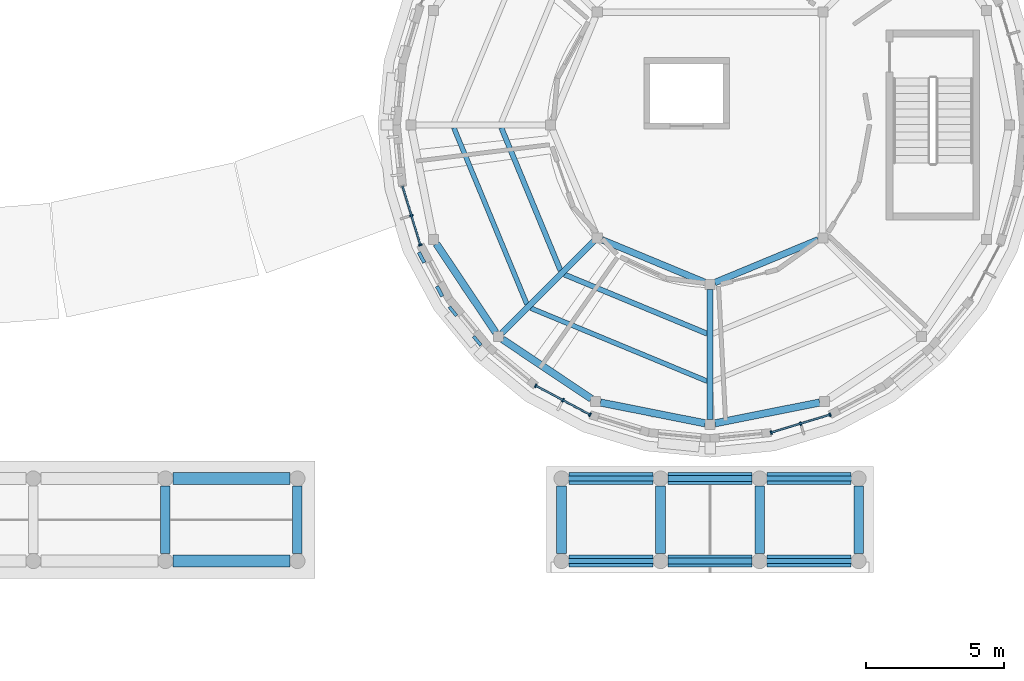
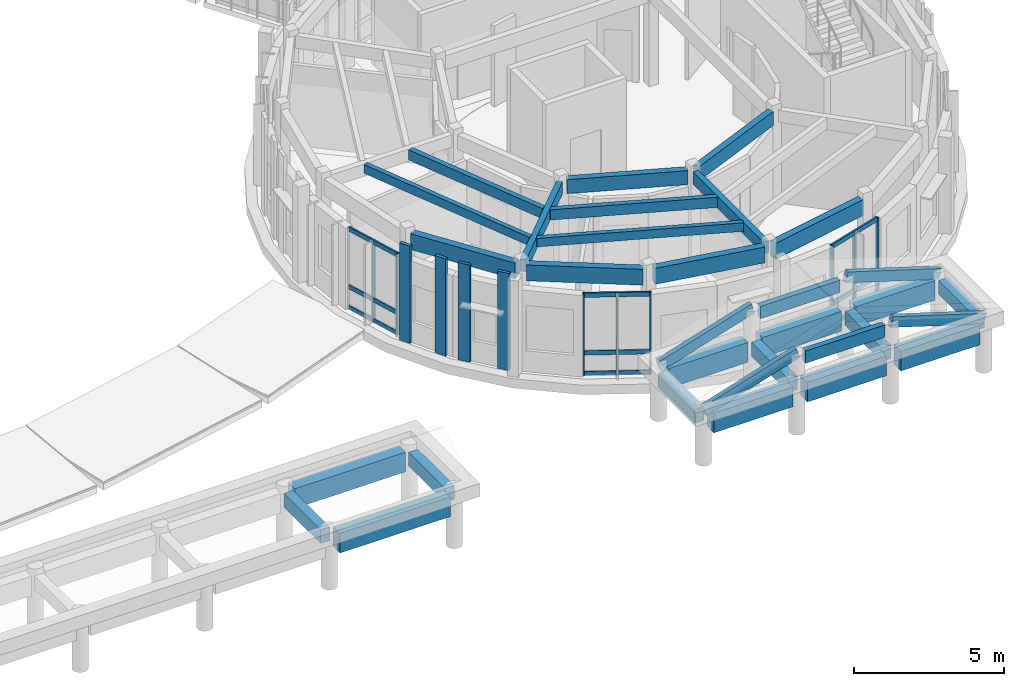
# One storey, part 22 of 80: 28 beams, 25 members, 3 elements without a shape of their own.
"""IFC4 building model written with IfcOpenShell, lengths in metres."""

from ifc_helpers import new_model, si_unit, direction, frame, origin, origin_2d, place, context, subcontext, project, spatial, rectangle, extrude, material, layer, layer_set, material_profile, profile_set, type_object, element, aggregate, save


model = new_model("IFC4")

# Units and contexts
model_context = context("Model", 3, precision=1e-05, world=origin(), true_north=direction((0.0, 1.0)))
body_context = subcontext(model_context, "Body", "Model", "MODEL_VIEW")
ifc_project = project(units=[si_unit("LENGTHUNIT", "METRE"), si_unit("AREAUNIT", "SQUARE_METRE"), si_unit("VOLUMEUNIT", "CUBIC_METRE"), si_unit("PLANEANGLEUNIT", "RADIAN"), si_unit("MASSUNIT", "GRAM", prefix="KILO")], contexts=[model_context])

# Site, building, storey
site_placement = place(None, origin())
site = spatial("IfcSite", under=ifc_project, at=site_placement, CompositionType="ELEMENT")
building_placement = place(site_placement, origin())
building = spatial("IfcBuilding", under=site, at=building_placement, Name="Aldenvaro Health Centre", CompositionType="ELEMENT")
storey_placement = place(building_placement, frame((0.0, 0.0, 4.550048828125)))
storey = spatial("IfcBuildingStorey", under=building, at=storey_placement, Name="L01", CompositionType="ELEMENT", Elevation=4.550048828125)

# Beams
ifc_material_1 = material(Name="Glulam GL28h", Category="wood")
ifc_material_profile_1 = material_profile(ifc_material_1, rectangle(XDim=0.175048828125, YDim=0.35009765625, at=origin_2d()), Name="GL 175x350", Category="wood")
ifc_profile_set_1 = profile_set([ifc_material_profile_1], Name="Glulam GL28h")
beam_type_1 = type_object("IfcBeamType", Name="BM-GL-350", PredefinedType="JOIST", material=ifc_profile_set_1)
for number, where, z_axis, x_axis, name in (
    (1, (145.18505859375, 18.40087890625, 3.780029296875), (0.382677753705, -0.923881884669, 0.0), (0.923881884669, 0.382677753705, 0.0), "D6 L01 secondary joist 03.2"),
    (2, (147.98388671875, 11.843017578125, 3.780029296875), (0.923881884669, -0.382677753705, 0.0), (0.382677753705, 0.923881884669, 0.0), "D6 L01 secondary joist 04.2"),
):
    element("IfcBeam", number, at=place(storey_placement, frame(where, z_axis=z_axis, x_axis=x_axis)), inside=storey, type_object=beam_type_1, Name=name, PredefinedType="JOIST", context=body_context, shape_type="SweptSolid", body=[
        extrude(rectangle(XDim=0.175048828125, YDim=0.35009765625, at=origin_2d()), origin(), (0.0, 0.0, 1.0), 6.94580078125),
    ])
ifc_material_profile_2 = material_profile(ifc_material_1, rectangle(XDim=0.18994140625, YDim=0.41796875, at=origin_2d()), Name="GL 190x418", Category="wood")
ifc_profile_set_2 = profile_set([ifc_material_profile_2], Name="Glulam GL28h")
beam_type_2 = type_object("IfcBeamType", Name="BM-GL-418", PredefinedType="JOIST", material=ifc_profile_set_2)
for number, where, z_axis, x_axis, name in (
    (3, (146.912109375, 18.40087890625, 3.745849609375), (0.382783729155, -0.923837981842, 0.0), (0.923837981842, 0.382783729155, 0.0), "D6 L01 secondary joist 03.1"),
    (4, (149.205078125, 13.06494140625, 3.745849609375), (0.923837981842, -0.382783729155, 0.0), (0.382783729155, 0.923837981842, 0.0), "D6 L01 secondary joist 04.1"),
):
    element("IfcBeam", number, at=place(storey_placement, frame(where, z_axis=z_axis, x_axis=x_axis)), inside=storey, type_object=beam_type_2, Name=name, PredefinedType="JOIST", context=body_context, shape_type="SweptSolid", body=[
        extrude(rectangle(XDim=0.18994140625, YDim=0.41796875, at=origin_2d()), origin(), (0.0, 0.0, 1.0), 5.624267578125),
    ])
ifc_material_profile_3 = material_profile(ifc_material_1, rectangle(XDim=0.215087890625, YDim=0.493896484375, at=origin_2d()), Name="GL 215x494", Category="wood")
ifc_profile_set_3 = profile_set([ifc_material_profile_3], Name="Glulam GL28h")
beam_type_3 = type_object("IfcBeamType", Name="BM-GL-494", PredefinedType="BEAM", material=ifc_profile_set_3)
for number, where, z_axis, x_axis, name in (
    (5, (150.27001953125, 14.27001953125, 3.7080078125), (-0.707106781187, -0.707106781187, 0.0), (0.707106781187, -0.707106781187, 0.0), "D6 L01 radial beam 04"),
    (6, (154.5, 12.51806640625, 3.7080078125), (0.0, -1.0, 0.0), (1.0, 0.0, 0.0), "D6 L01 radial beam 05"),
):
    element("IfcBeam", number, at=place(storey_placement, frame(where, z_axis=z_axis, x_axis=x_axis)), inside=storey, type_object=beam_type_3, Name=name, PredefinedType="BEAM", context=body_context, shape_type="SweptSolid", body=[
        extrude(rectangle(XDim=0.215087890625, YDim=0.493896484375, at=origin_2d()), origin(), (0.0, 0.0, 1.0), 4.715087890625),
    ])
for number, where, z_axis, x_axis, name in (
    (7, (152.97509765625, 2.64990234375, 2.949951171875), (1.0, 0.0, 0.0), (0.0, 1.0, 0.0), "Pavilion Portico E6 Pediment Collar 1"),
    (8, (152.97509765625, 5.64990234375, 2.949951171875), (1.0, 0.0, 0.0), (0.0, 1.0, 0.0), "Pavilion Portico E6 Pediment Collar 2"),
):
    element("IfcBeam", number, at=place(storey_placement, frame(where, z_axis=z_axis, x_axis=x_axis)), inside=storey, type_object=beam_type_3, Name=name, PredefinedType="BEAM", context=body_context, shape_type="SweptSolid", body=[
        extrude(rectangle(XDim=0.215087890625, YDim=0.493896484375, at=origin_2d()), origin(), (0.0, 0.0, 1.0), 3.0498046875),
    ])
ifc_material_profile_4 = material_profile(ifc_material_1, rectangle(XDim=0.239990234375, YDim=0.570068359375, at=origin_2d()), Name="GL 240x570", Category="wood")
ifc_profile_set_4 = profile_set([ifc_material_profile_4], Name="Glulam GL28h")
beam_type_4 = type_object("IfcBeamType", Name="BM-GL-570", PredefinedType="BEAM", material=ifc_profile_set_4)
for number, where, z_axis, x_axis, name in (
    (9, (150.568115234375, 14.3291015625, 3.669921875), (0.923842943705, -0.382771753617, 0.0), (0.382771753617, 0.923842943705, 0.0), "D6 L01 inner ring beam 04"),
    (10, (154.6689453125, 12.77001953125, 3.669921875), (0.923842943705, 0.382771753617, 0.0), (-0.382771753617, 0.923842943705, 0.0), "D6 L01 inner ring beam 05"),
):
    element("IfcBeam", number, at=place(storey_placement, frame(where, z_axis=z_axis, x_axis=x_axis)), inside=storey, type_object=beam_type_4, Name=name, PredefinedType="BEAM", context=body_context, shape_type="SweptSolid", body=[
        extrude(rectangle(XDim=0.239990234375, YDim=0.570068359375, at=origin_2d()), origin(), (0.0, 0.0, 1.0), 4.0732421875),
    ])
ifc_material_profile_5 = material_profile(ifc_material_1, rectangle(XDim=0.264892578125, YDim=0.64599609375, at=origin_2d()), Name="GL 265x646", Category="wood")
ifc_profile_set_5 = profile_set([ifc_material_profile_5], Name="Glulam GL28h")
beam_type_5 = type_object("IfcBeamType", Name="BM-GL-646", PredefinedType="SPANDREL", material=ifc_profile_set_5)
for number, where, z_axis, x_axis, name in (
    (11, (144.549072265625, 14.18408203125, 3.6318359375), (0.55593386509, -0.831226526072, 0.0), (0.831226526072, 0.55593386509, 0.0), "D6 L01 perimeter spandrel 10"),
    (12, (146.958984375, 10.7060546875, 3.6318359375), (0.831226526072, -0.55593386509, 0.0), (0.55593386509, 0.831226526072, 0.0), "D6 L01 perimeter spandrel 11"),
):
    element("IfcBeam", number, at=place(storey_placement, frame(where, z_axis=z_axis, x_axis=x_axis)), inside=storey, type_object=beam_type_5, Name=name, PredefinedType="SPANDREL", context=body_context, shape_type="SweptSolid", body=[
        extrude(rectangle(XDim=0.264892578125, YDim=0.64599609375, at=origin_2d()), origin(), (0.0, 0.0, 1.0), 3.8798828125),
    ])
for number, where, z_axis, x_axis, name in (
    (13, (150.514892578125, 8.412109375, 3.6318359375), (0.98083392975, -0.19484558566, 0.0), (0.19484558566, 0.98083392975, 0.0), "D6 L01 perimeter spandrel 12"),
    (14, (154.678955078125, 7.656005859375, 3.6318359375), (0.98083392975, 0.19484558566, 0.0), (-0.19484558566, 0.98083392975, 0.0), "D6 L01 perimeter spandrel 13"),
):
    element("IfcBeam", number, at=place(storey_placement, frame(where, z_axis=z_axis, x_axis=x_axis)), inside=storey, type_object=beam_type_5, Name=name, PredefinedType="SPANDREL", context=body_context, shape_type="SweptSolid", body=[
        extrude(rectangle(XDim=0.264892578125, YDim=0.64599609375, at=origin_2d()), origin(), (0.0, 0.0, 1.0), 3.880615234375),
    ])
ifc_material_2 = material(Name="Concrete f'c 40 MPa", Category="concrete")
ifc_material_profile_6 = material_profile(ifc_material_2, rectangle(XDim=0.35009765625, YDim=0.56005859375, at=origin_2d()), Name="RC 350x560", Category="concrete")
ifc_profile_set_6 = profile_set([ifc_material_profile_6], Name="Concrete f'c 40 MPa")
beam_type_6 = type_object("IfcBeamType", Name="BM-RC-560E", PredefinedType="JOIST", material=ifc_profile_set_6)
for number, where, z_axis, x_axis, name in (
    (15, (134.699951171875, 2.925048828125, 1.869873046875), (0.0, 1.0, 0.0), (-1.0, 0.0, 0.0), "South Stoa E Transverse Beam L01-8"),
    (16, (139.5, 2.925048828125, 1.869873046875), (0.0, 1.0, 0.0), (-1.0, 0.0, 0.0), "South Stoa E Transverse Beam L01-9"),
    (17, (149.10009765625, 2.925048828125, 1.719970703125), (0.0, 1.0, 0.0), (-1.0, 0.0, 0.0), "Pavilion Portico E6 Entablature Tie 1"),
    (18, (152.699951171875, 2.925048828125, 1.719970703125), (0.0, 1.0, 0.0), (-1.0, 0.0, 0.0), "Pavilion Portico E6 Entablature Tie 2"),
    (19, (156.300048828125, 2.925048828125, 1.719970703125), (0.0, 1.0, 0.0), (-1.0, 0.0, 0.0), "Pavilion Portico E6 Entablature Tie 3"),
    (20, (159.89990234375, 2.925048828125, 1.719970703125), (0.0, 1.0, 0.0), (-1.0, 0.0, 0.0), "Pavilion Portico E6 Entablature Tie 4"),
):
    element("IfcBeam", number, at=place(storey_placement, frame(where, z_axis=z_axis, x_axis=x_axis)), inside=storey, type_object=beam_type_6, Name=name, PredefinedType="JOIST", context=body_context, shape_type="SweptSolid", body=[
        extrude(rectangle(XDim=0.35009765625, YDim=0.56005859375, at=origin_2d()), origin(), (0.0, 0.0, 1.0), 2.449951171875),
    ])
ifc_material_profile_7 = material_profile(ifc_material_2, rectangle(XDim=0.449951171875, YDim=0.800048828125, at=origin_2d()), Name="RC 450x800", Category="concrete")
ifc_profile_set_7 = profile_set([ifc_material_profile_7], Name="Concrete f'c 40 MPa")
beam_type_7 = type_object("IfcBeamType", Name="BM-RC-800", PredefinedType="SPANDREL", material=ifc_profile_set_7)
for number, where, z_axis, x_axis, name in (
    (21, (134.97509765625, 2.64990234375, 1.75), (1.0, 0.0, 0.0), (0.0, 1.0, 0.0), "South Stoa E Classical Architrave L01-8.1"),
    (22, (134.97509765625, 5.64990234375, 1.75), (1.0, 0.0, 0.0), (0.0, 1.0, 0.0), "South Stoa E Classical Architrave L01-8.2"),
):
    element("IfcBeam", number, at=place(storey_placement, frame(where, z_axis=z_axis, x_axis=x_axis)), inside=storey, type_object=beam_type_7, Name=name, PredefinedType="SPANDREL", context=body_context, shape_type="SweptSolid", body=[
        extrude(rectangle(XDim=0.449951171875, YDim=0.800048828125, at=origin_2d()), origin(), (0.0, 0.0, 1.0), 4.25),
    ])
for number, where, z_axis, x_axis, name in (
    (23, (149.375, 2.64990234375, 1.599853515625), (1.0, 0.0, 0.0), (0.0, 1.0, 0.0), "Pavilion Portico E6 Classical Architrave 1.1"),
    (24, (149.375, 5.64990234375, 1.599853515625), (1.0, 0.0, 0.0), (0.0, 1.0, 0.0), "Pavilion Portico E6 Classical Architrave 1.2"),
):
    element("IfcBeam", number, at=place(storey_placement, frame(where, z_axis=z_axis, x_axis=x_axis)), inside=storey, type_object=beam_type_7, Name=name, PredefinedType="SPANDREL", context=body_context, shape_type="SweptSolid", body=[
        extrude(rectangle(XDim=0.449951171875, YDim=0.800048828125, at=origin_2d()), origin(), (0.0, 0.0, 1.0), 3.050048828125),
    ])
for number, where, z_axis, x_axis, name in (
    (25, (152.97509765625, 2.64990234375, 1.599853515625), (1.0, 0.0, 0.0), (0.0, 1.0, 0.0), "Pavilion Portico E6 Classical Architrave 2.1"),
    (26, (152.97509765625, 5.64990234375, 1.599853515625), (1.0, 0.0, 0.0), (0.0, 1.0, 0.0), "Pavilion Portico E6 Classical Architrave 2.2"),
):
    element("IfcBeam", number, at=place(storey_placement, frame(where, z_axis=z_axis, x_axis=x_axis)), inside=storey, type_object=beam_type_7, Name=name, PredefinedType="SPANDREL", context=body_context, shape_type="SweptSolid", body=[
        extrude(rectangle(XDim=0.449951171875, YDim=0.800048828125, at=origin_2d()), origin(), (0.0, 0.0, 1.0), 3.0498046875),
    ])
for number, where, z_axis, x_axis, name in (
    (27, (156.574951171875, 2.64990234375, 1.599853515625), (1.0, 0.0, 0.0), (0.0, 1.0, 0.0), "Pavilion Portico E6 Classical Architrave 3.1"),
    (28, (156.574951171875, 5.64990234375, 1.599853515625), (1.0, 0.0, 0.0), (0.0, 1.0, 0.0), "Pavilion Portico E6 Classical Architrave 3.2"),
):
    element("IfcBeam", number, at=place(storey_placement, frame(where, z_axis=z_axis, x_axis=x_axis)), inside=storey, type_object=beam_type_7, Name=name, PredefinedType="SPANDREL", context=body_context, shape_type="SweptSolid", body=[
        extrude(rectangle(XDim=0.449951171875, YDim=0.800048828125, at=origin_2d()), origin(), (0.0, 0.0, 1.0), 3.050048828125),
    ])

# Curtain wall, members
ifc_material_3 = material(Name="Anodised Aluminium 6063-T6", Category="aluminium")
ifc_layer = layer(ifc_material_3, 0.195068359375, Name="Anodised Aluminium 6063-T6", Category="aluminium")
ifc_layer_set = layer_set([ifc_layer], Name="Anodised Aluminium 6063-T6")
curtain_wall_type = type_object("IfcCurtainWallType", Name="CW-CLN-02", PredefinedType="NOTDEFINED", material=ifc_layer_set)
curtain_wall_1_placement = place(storey_placement, origin())
curtain_wall_1 = element("IfcCurtainWall", 29, at=curtain_wall_1_placement, inside=storey, type_object=curtain_wall_type, Name="D6 L01 curtain wall bay 07", PredefinedType="NOTDEFINED")
ifc_material_profile_8 = material_profile(ifc_material_3, rectangle(XDim=0.06005859375, YDim=0.135009765625, at=origin_2d()), Name="ALU 60x135", Category="aluminium")
ifc_profile_set_8 = profile_set([ifc_material_profile_8], Name="Anodised Aluminium 6063-T6")
member_type_1 = type_object("IfcMemberType", Name="CWM-150", PredefinedType="MULLION", material=ifc_profile_set_8)
member_1_placement = place(storey_placement, frame((158.863037109375, 7.968017578125, 0.0), z_axis=(0.0, 0.0, 1.0), x_axis=(-0.956922756407, -0.290342622208, 0.0)))
member_1 = element("IfcMember", 30, at=member_1_placement, type_object=member_type_1, Name="D6 L01 curtain wall bay 07 mullion 1", PredefinedType="MULLION", context=body_context, shape_type="SweptSolid", body=[
    extrude(rectangle(XDim=0.06005859375, YDim=0.135009765625, at=origin_2d()), origin(), (0.0, 0.0, 1.0), 3.308837890625),
])
member_2_placement = place(storey_placement, frame((157.79296875, 7.64306640625, 0.0), z_axis=(0.0, 0.0, 1.0), x_axis=(-0.956922756407, -0.290342622208, 0.0)))
member_2 = element("IfcMember", 31, at=member_2_placement, type_object=member_type_1, Name="D6 L01 curtain wall bay 07 mullion 2", PredefinedType="MULLION", context=body_context, shape_type="SweptSolid", body=[
    extrude(rectangle(XDim=0.06005859375, YDim=0.135009765625, at=origin_2d()), origin(), (0.0, 0.0, 1.0), 3.308837890625),
])
member_3_placement = place(storey_placement, frame((156.72412109375, 7.319091796875, 0.0), z_axis=(0.0, 0.0, 1.0), x_axis=(-0.956922756407, -0.290342622208, 0.0)))
member_3 = element("IfcMember", 32, at=member_3_placement, type_object=member_type_1, Name="D6 L01 curtain wall bay 07 mullion 3", PredefinedType="MULLION", context=body_context, shape_type="SweptSolid", body=[
    extrude(rectangle(XDim=0.06005859375, YDim=0.135009765625, at=origin_2d()), origin(), (0.0, 0.0, 1.0), 3.308837890625),
])

curtain_wall_2_placement = place(storey_placement, origin())
curtain_wall_2 = element("IfcCurtainWall", 33, at=curtain_wall_2_placement, inside=storey, type_object=curtain_wall_type, Name="D6 L01 curtain wall bay 11", PredefinedType="NOTDEFINED")
member_4_placement = place(storey_placement, frame((150.136962890625, 7.968017578125, 0.0), z_axis=(0.0, 0.0, 1.0), x_axis=(-0.882018256263, 0.471215232797, 0.0)))
member_4 = element("IfcMember", 34, at=member_4_placement, type_object=member_type_1, Name="D6 L01 curtain wall bay 11 mullion 1", PredefinedType="MULLION", context=body_context, shape_type="SweptSolid", body=[
    extrude(rectangle(XDim=0.06005859375, YDim=0.135009765625, at=origin_2d()), origin(), (0.0, 0.0, 1.0), 3.308837890625),
])
member_5_placement = place(storey_placement, frame((149.15087890625, 8.4951171875, 0.0), z_axis=(0.0, 0.0, 1.0), x_axis=(-0.882018256263, 0.471215232797, 0.0)))
member_5 = element("IfcMember", 35, at=member_5_placement, type_object=member_type_1, Name="D6 L01 curtain wall bay 11 mullion 2", PredefinedType="MULLION", context=body_context, shape_type="SweptSolid", body=[
    extrude(rectangle(XDim=0.06005859375, YDim=0.135009765625, at=origin_2d()), origin(), (0.0, 0.0, 1.0), 3.308837890625),
])
member_6_placement = place(storey_placement, frame((148.166015625, 9.02099609375, 0.0), z_axis=(0.0, 0.0, 1.0), x_axis=(-0.882018256263, 0.471215232797, 0.0)))
member_6 = element("IfcMember", 36, at=member_6_placement, type_object=member_type_1, Name="D6 L01 curtain wall bay 11 mullion 3", PredefinedType="MULLION", context=body_context, shape_type="SweptSolid", body=[
    extrude(rectangle(XDim=0.06005859375, YDim=0.135009765625, at=origin_2d()), origin(), (0.0, 0.0, 1.0), 3.308837890625),
])

curtain_wall_3_placement = place(storey_placement, origin())
curtain_wall_3 = element("IfcCurtainWall", 37, at=curtain_wall_3_placement, inside=storey, type_object=curtain_wall_type, Name="D6 L01 curtain wall bay 15", PredefinedType="NOTDEFINED")
member_7_placement = place(storey_placement, frame((143.968017578125, 14.136962890625, 0.0), z_axis=(0.0, 0.0, 1.0), x_axis=(-0.290342622208, 0.956922756407, 0.0)))
member_7 = element("IfcMember", 38, at=member_7_placement, type_object=member_type_1, Name="D6 L01 curtain wall bay 15 mullion 1", PredefinedType="MULLION", context=body_context, shape_type="SweptSolid", body=[
    extrude(rectangle(XDim=0.06005859375, YDim=0.135009765625, at=origin_2d()), origin(), (0.0, 0.0, 1.0), 3.308837890625),
])
member_8_placement = place(storey_placement, frame((143.64306640625, 15.20703125, 0.0), z_axis=(0.0, 0.0, 1.0), x_axis=(-0.290342622208, 0.956922756407, 0.0)))
member_8 = element("IfcMember", 39, at=member_8_placement, type_object=member_type_1, Name="D6 L01 curtain wall bay 15 mullion 2", PredefinedType="MULLION", context=body_context, shape_type="SweptSolid", body=[
    extrude(rectangle(XDim=0.06005859375, YDim=0.135009765625, at=origin_2d()), origin(), (0.0, 0.0, 1.0), 3.308837890625),
])

# Member
ifc_material_profile_9 = material_profile(ifc_material_3, rectangle(XDim=0.06494140625, YDim=0.179931640625, at=origin_2d()), Name="ALU 65x180", Category="aluminium")
ifc_profile_set_9 = profile_set([ifc_material_profile_9], Name="Anodised Aluminium 6063-T6")
member_type_2 = type_object("IfcMemberType", Name="CWT-150", PredefinedType="USERDEFINED", material=ifc_profile_set_9)
member_9_placement = place(storey_placement, frame((158.863037109375, 7.968017578125, 0.06005859375), z_axis=(-0.956928814218, -0.290322655883, 0.0), x_axis=(0.290322655883, -0.956928814218, 0.0)))
member_9 = element("IfcMember", 40, at=member_9_placement, type_object=member_type_2, Name="D6 L01 curtain wall bay 07 transom 1", ObjectType="TRANSOM", PredefinedType="USERDEFINED", context=body_context, shape_type="SweptSolid", body=[
    extrude(rectangle(XDim=0.06494140625, YDim=0.179931640625, at=origin_2d()), origin(), (0.0, 0.0, 1.0), 2.235107421875),
])

member_10_placement = place(storey_placement, frame((158.863037109375, 7.968017578125, 0.89990234375), z_axis=(-0.956928814218, -0.290322655883, 0.0), x_axis=(0.290322655883, -0.956928814218, 0.0)))
member_10 = element("IfcMember", 41, at=member_10_placement, type_object=member_type_2, Name="D6 L01 curtain wall bay 07 transom 2", ObjectType="TRANSOM", PredefinedType="USERDEFINED", context=body_context, shape_type="SweptSolid", body=[
    extrude(rectangle(XDim=0.06494140625, YDim=0.179931640625, at=origin_2d()), origin(), (0.0, 0.0, 1.0), 2.235107421875),
])

member_11_placement = place(storey_placement, frame((158.863037109375, 7.968017578125, 3.2490234375), z_axis=(-0.956928814218, -0.290322655883, 0.0), x_axis=(0.290322655883, -0.956928814218, 0.0)))
member_11 = element("IfcMember", 42, at=member_11_placement, type_object=member_type_2, Name="D6 L01 curtain wall bay 07 transom 3", ObjectType="TRANSOM", PredefinedType="USERDEFINED", context=body_context, shape_type="SweptSolid", body=[
    extrude(rectangle(XDim=0.06494140625, YDim=0.179931640625, at=origin_2d()), origin(), (0.0, 0.0, 1.0), 2.235107421875),
])

aggregate(curtain_wall_1, [member_1, member_2, member_3, member_9, member_10, member_11])

member_12_placement = place(storey_placement, frame((150.136962890625, 7.968017578125, 0.06005859375), z_axis=(-0.882017012185, 0.471217561446, 0.0), x_axis=(-0.471217561446, -0.882017012185, 0.0)))
member_12 = element("IfcMember", 43, at=member_12_placement, type_object=member_type_2, Name="D6 L01 curtain wall bay 11 transom 1", ObjectType="TRANSOM", PredefinedType="USERDEFINED", context=body_context, shape_type="SweptSolid", body=[
    extrude(rectangle(XDim=0.06494140625, YDim=0.179931640625, at=origin_2d()), origin(), (0.0, 0.0, 1.0), 2.234619140625),
])

member_13_placement = place(storey_placement, frame((150.136962890625, 7.968017578125, 0.89990234375), z_axis=(-0.882017012185, 0.471217561446, 0.0), x_axis=(-0.471217561446, -0.882017012185, 0.0)))
member_13 = element("IfcMember", 44, at=member_13_placement, type_object=member_type_2, Name="D6 L01 curtain wall bay 11 transom 2", ObjectType="TRANSOM", PredefinedType="USERDEFINED", context=body_context, shape_type="SweptSolid", body=[
    extrude(rectangle(XDim=0.06494140625, YDim=0.179931640625, at=origin_2d()), origin(), (0.0, 0.0, 1.0), 2.234619140625),
])

member_14_placement = place(storey_placement, frame((150.136962890625, 7.968017578125, 3.2490234375), z_axis=(-0.882017012185, 0.471217561446, 0.0), x_axis=(-0.471217561446, -0.882017012185, 0.0)))
member_14 = element("IfcMember", 45, at=member_14_placement, type_object=member_type_2, Name="D6 L01 curtain wall bay 11 transom 3", ObjectType="TRANSOM", PredefinedType="USERDEFINED", context=body_context, shape_type="SweptSolid", body=[
    extrude(rectangle(XDim=0.06494140625, YDim=0.179931640625, at=origin_2d()), origin(), (0.0, 0.0, 1.0), 2.234619140625),
])

aggregate(curtain_wall_2, [member_4, member_5, member_6, member_12, member_13, member_14])

member_15_placement = place(storey_placement, frame((143.968017578125, 14.136962890625, 0.06005859375), z_axis=(-0.290322655883, 0.956928814218, 0.0), x_axis=(-0.956928814218, -0.290322655883, 0.0)))
member_15 = element("IfcMember", 46, at=member_15_placement, type_object=member_type_2, Name="D6 L01 curtain wall bay 15 transom 1", ObjectType="TRANSOM", PredefinedType="USERDEFINED", context=body_context, shape_type="SweptSolid", body=[
    extrude(rectangle(XDim=0.06494140625, YDim=0.179931640625, at=origin_2d()), origin(), (0.0, 0.0, 1.0), 2.235107421875),
])

member_16_placement = place(storey_placement, frame((143.968017578125, 14.136962890625, 0.89990234375), z_axis=(-0.290322655883, 0.956928814218, 0.0), x_axis=(-0.956928814218, -0.290322655883, 0.0)))
member_16 = element("IfcMember", 47, at=member_16_placement, type_object=member_type_2, Name="D6 L01 curtain wall bay 15 transom 2", ObjectType="TRANSOM", PredefinedType="USERDEFINED", context=body_context, shape_type="SweptSolid", body=[
    extrude(rectangle(XDim=0.06494140625, YDim=0.179931640625, at=origin_2d()), origin(), (0.0, 0.0, 1.0), 2.235107421875),
])

member_17_placement = place(storey_placement, frame((143.968017578125, 14.136962890625, 3.2490234375), z_axis=(-0.290322655883, 0.956928814218, 0.0), x_axis=(-0.956928814218, -0.290322655883, 0.0)))
member_17 = element("IfcMember", 48, at=member_17_placement, type_object=member_type_2, Name="D6 L01 curtain wall bay 15 transom 3", ObjectType="TRANSOM", PredefinedType="USERDEFINED", context=body_context, shape_type="SweptSolid", body=[
    extrude(rectangle(XDim=0.06494140625, YDim=0.179931640625, at=origin_2d()), origin(), (0.0, 0.0, 1.0), 2.235107421875),
])

aggregate(curtain_wall_3, [member_7, member_8, member_15, member_16, member_17])

# Members
ifc_material_profile_10 = material_profile(ifc_material_1, rectangle(XDim=0.18994140625, YDim=0.41796875, at=origin_2d()), Name="GL 190x418", Category="wood")
ifc_profile_set_10 = profile_set([ifc_material_profile_10], Name="Glulam GL28h")
member_type_3 = type_object("IfcMemberType", Name="MEM-RF-418", PredefinedType="RAFTER", material=ifc_profile_set_10)
for number, where, z_axis, x_axis, name in (
    (49, (149.10009765625, 2.64990234375, 2.08984375), (0.954844529678, 0.0, 0.297105914016), (0.0, 1.0, 0.0), "Pavilion Portico E6 West Rafter 1"),
    (50, (159.89990234375, 2.64990234375, 2.08984375), (-0.954844529678, 0.0, 0.297105914016), (0.0, -1.0, 0.0), "Pavilion Portico E6 East Rafter 1"),
    (51, (149.10009765625, 5.64990234375, 2.08984375), (0.954844529678, 0.0, 0.297105914016), (0.0, 1.0, 0.0), "Pavilion Portico E6 West Rafter 2"),
    (52, (159.89990234375, 5.64990234375, 2.08984375), (-0.954844529678, 0.0, 0.297105914016), (0.0, -1.0, 0.0), "Pavilion Portico E6 East Rafter 2"),
):
    element("IfcMember", number, at=place(storey_placement, frame(where, z_axis=z_axis, x_axis=x_axis)), inside=storey, type_object=member_type_3, Name=name, PredefinedType="RAFTER", context=body_context, shape_type="SweptSolid", body=[
        extrude(rectangle(XDim=0.18994140625, YDim=0.41796875, at=origin_2d()), origin(), (0.0, 0.0, 1.0), 3.77001953125),
    ])
ifc_material_profile_11 = material_profile(ifc_material_1, rectangle(XDim=0.114990234375, YDim=0.419921875, at=origin_2d()), Name="GL 115x420", Category="wood")
ifc_profile_set_11 = profile_set([ifc_material_profile_11], Name="Glulam GL28h")
member_type_4 = type_object("IfcMemberType", Name="MEM-SLT-420A", PredefinedType="POST", material=ifc_profile_set_11)
for number, where, z_axis, x_axis, name in (
    (53, (146.037109375, 10.653076171875, 0.0), (0.0, 0.0, 1.0), (-0.772859503767, -0.634577172169, 0.0), "D6 L01 vertical timber slat 13.1"),
    (54, (145.152099609375, 11.72998046875, 0.0), (0.0, 0.0, 1.0), (-0.772859503767, -0.634577172169, 0.0), "D6 L01 vertical timber slat 13.3"),
):
    element("IfcMember", number, at=place(storey_placement, frame(where, z_axis=z_axis, x_axis=x_axis)), inside=storey, type_object=member_type_4, Name=name, PredefinedType="POST", context=body_context, shape_type="SweptSolid", body=[
        extrude(rectangle(XDim=0.114990234375, YDim=0.419921875, at=origin_2d()), origin(), (0.0, 0.0, 1.0), 3.954833984375),
    ])
ifc_material_profile_12 = material_profile(ifc_material_1, rectangle(XDim=0.1298828125, YDim=0.419921875, at=origin_2d()), Name="GL 130x420", Category="wood")
ifc_profile_set_12 = profile_set([ifc_material_profile_12], Name="Glulam GL28h")
member_type_5 = type_object("IfcMemberType", Name="MEM-SLT-420B", PredefinedType="POST", material=ifc_profile_set_12)
for number, where, z_axis, x_axis, name in (
    (55, (144.6689453125, 12.4541015625, 0.0), (0.0, 0.0, 1.0), (-0.882018256263, -0.471215232797, 0.0), "D6 L01 vertical timber slat 14.1"),
    (56, (144.011962890625, 13.68408203125, 0.0), (0.0, 0.0, 1.0), (-0.882018256263, -0.471215232797, 0.0), "D6 L01 vertical timber slat 14.3"),
):
    element("IfcMember", number, at=place(storey_placement, frame(where, z_axis=z_axis, x_axis=x_axis)), inside=storey, type_object=member_type_5, Name=name, PredefinedType="POST", context=body_context, shape_type="SweptSolid", body=[
        extrude(rectangle(XDim=0.1298828125, YDim=0.419921875, at=origin_2d()), origin(), (0.0, 0.0, 1.0), 3.954833984375),
    ])

save(model, "model.ifc")
